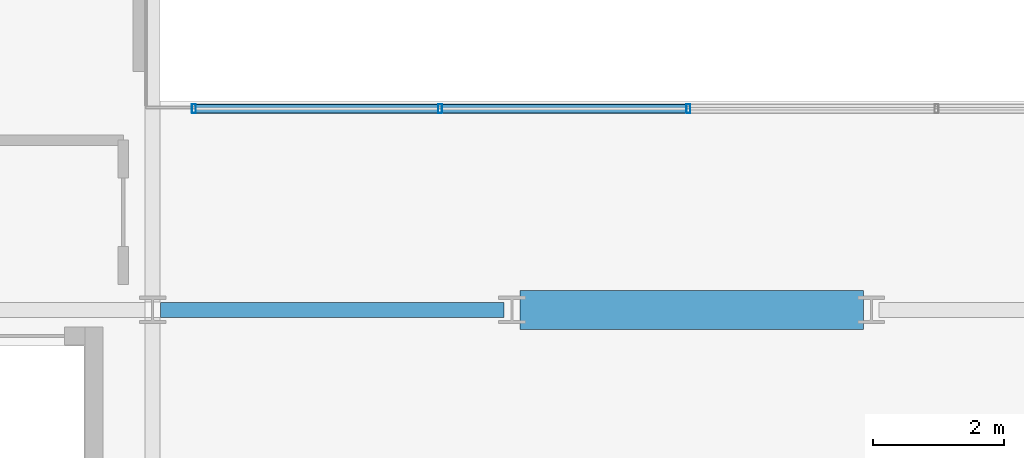
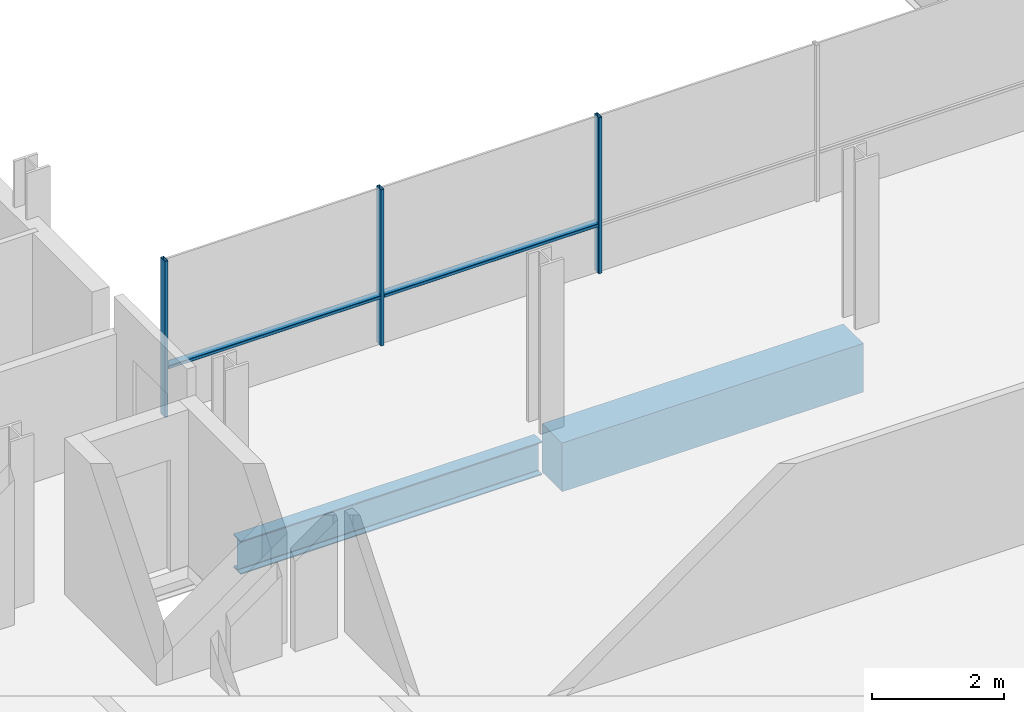
# One storey, part 4 of 38: 5 members, 2 beams, 1 element without a shape of its own.
"""IFC4 building model written with IfcOpenShell, lengths in metres."""

from ifc_helpers import new_model, si_unit, direction, frame, origin, origin_2d, place, context, subcontext, project, spatial, rectangle, hollow_rectangle, i_section, extrude, material, layer, layer_set, material_profile, profile_set, type_object, element, aggregate, save


model = new_model("IFC4")

# Units and contexts
model_context = context("Model", 3, precision=1e-05, world=origin(), true_north=direction((0.0, 1.0)))
body_context = subcontext(model_context, "Body", "Model", "MODEL_VIEW")
ifc_project = project(units=[si_unit("LENGTHUNIT", "METRE"), si_unit("AREAUNIT", "SQUARE_METRE"), si_unit("VOLUMEUNIT", "CUBIC_METRE"), si_unit("PLANEANGLEUNIT", "RADIAN"), si_unit("MASSUNIT", "GRAM", prefix="KILO")], contexts=[model_context])

# Site, building, storey
site_placement = place(None, origin())
site = spatial("IfcSite", under=ifc_project, at=site_placement, CompositionType="ELEMENT")
building_placement = place(site_placement, origin())
building = spatial("IfcBuilding", under=site, at=building_placement, Name="Brevholm Reach", CompositionType="ELEMENT")
storey_placement = place(building_placement, frame((0.0, 0.0, 128.300048828125)))
storey = spatial("IfcBuildingStorey", under=building, at=storey_placement, Name="L38", CompositionType="ELEMENT", Elevation=128.300048828125)

# Beams
ifc_material_1 = material(Name="Concrete C50/60", Category="concrete")
ifc_material_profile_1 = material_profile(ifc_material_1, rectangle(XDim=0.60009765625, YDim=0.89990234375, at=origin_2d()), Name="RC 600x900")
ifc_profile_set_1 = profile_set([ifc_material_profile_1], Name="Concrete C50/60")
beam_type_1 = type_object("IfcBeamType", Name="BM-CB600", PredefinedType="LINTEL", material=ifc_profile_set_1)
beam_1_placement = place(storey_placement, frame((27.3701171875, 10.0, -0.670166015625), z_axis=(1.0, 0.0, 0.0), x_axis=(0.0, 1.0, 0.0)))
element("IfcBeam", 1, at=beam_1_placement, inside=storey, type_object=beam_type_1, Name="L38 CB-02 Framing Beam", PredefinedType="LINTEL", context=body_context, shape_type="SweptSolid", body=[
    extrude(rectangle(XDim=0.60009765625, YDim=0.89990234375, at=origin_2d()), origin(), (0.0, 0.0, 1.0), 5.259765625),
])
ifc_material_2 = material(Name="Structural Steel S355J2", Category="steel")
ifc_material_profile_2 = material_profile(ifc_material_2, i_section(OverallWidth=0.22900390625, OverallDepth=0.6123046875, WebThickness=0.011962890625, FlangeThickness=0.01953125, FilletRadius=0.0126953125, at=origin_2d()), Name="UKB 610x229x125")
ifc_profile_set_2 = profile_set([ifc_material_profile_2], Name="Structural Steel S355J2")
beam_type_2 = type_object("IfcBeamType", Name="BM-SP610", PredefinedType="SPANDREL", material=ifc_profile_set_2)
beam_2_placement = place(storey_placement, frame((21.8701171875, 10.0, -0.526123046875), z_axis=(1.0, 0.0, 0.0), x_axis=(0.0, 1.0, 0.0)))
element("IfcBeam", 2, at=beam_2_placement, inside=storey, type_object=beam_type_2, Name="L38 SP-01 Framing Beam", PredefinedType="SPANDREL", context=body_context, shape_type="SweptSolid", body=[
    extrude(i_section(OverallWidth=0.22900390625, OverallDepth=0.6123046875, WebThickness=0.011962890625, FlangeThickness=0.01953125, FilletRadius=0.0126953125, at=origin_2d()), origin(), (0.0, 0.0, 1.0), 5.259765625),
])

# Curtain wall, members
ifc_material_3 = material(Name="Dark Anodised Aluminium 6063-T6 and Solar-Control Glass", Category="aluminium")
ifc_layer = layer(ifc_material_3, 0.139892578125)
ifc_layer_set = layer_set([ifc_layer], Name="Dark Anodised Aluminium 6063-T6 and Solar-Control Glass")
curtain_wall_type = type_object("IfcCurtainWallType", Name="CW-02", PredefinedType="NOTDEFINED", material=ifc_layer_set)
curtain_wall_placement = place(storey_placement, origin())
curtain_wall = element("IfcCurtainWall", 3, at=curtain_wall_placement, inside=storey, type_object=curtain_wall_type, Name="L38 Curtain Wall CW-02", PredefinedType="NOTDEFINED")
ifc_material_4 = material(Name="Dark Anodised Aluminium 6063-T6", Category="aluminium")
ifc_material_profile_3 = material_profile(ifc_material_4, hollow_rectangle(XDim=0.06005859375, YDim=0.139892578125, WallThickness=0.0048828125, InnerFilletRadius=0.0048828125, OuterFilletRadius=0.010009765625, at=origin_2d()), Name="RHS 140x60x5")
ifc_profile_set_3 = profile_set([ifc_material_profile_3], Name="Dark Anodised Aluminium 6063-T6")
member_type_1 = type_object("IfcMemberType", Name="CWM-140", PredefinedType="MULLION", material=ifc_profile_set_3)
member_1_placement = place(storey_placement, frame((22.3798828125, 13.080078125, 0.0), z_axis=(0.0, 0.0, 1.0), x_axis=(1.0, 0.0, 0.0)))
member_1 = element("IfcMember", 4, at=member_1_placement, type_object=member_type_1, Name="CM-140 Mullion 1", PredefinedType="MULLION", context=body_context, shape_type="SweptSolid", body=[
    extrude(hollow_rectangle(XDim=0.06005859375, YDim=0.139892578125, WallThickness=0.0048828125, InnerFilletRadius=0.0048828125, OuterFilletRadius=0.010009765625, at=origin_2d()), origin(), (0.0, 0.0, 1.0), 2.8798828125),
])
member_2_placement = place(storey_placement, frame((26.14990234375, 13.080078125, 0.0), z_axis=(0.0, 0.0, 1.0), x_axis=(1.0, 0.0, 0.0)))
member_2 = element("IfcMember", 5, at=member_2_placement, type_object=member_type_1, Name="CM-140 Mullion 2", PredefinedType="MULLION", context=body_context, shape_type="SweptSolid", body=[
    extrude(hollow_rectangle(XDim=0.06005859375, YDim=0.139892578125, WallThickness=0.0048828125, InnerFilletRadius=0.0048828125, OuterFilletRadius=0.010009765625, at=origin_2d()), origin(), (0.0, 0.0, 1.0), 2.8798828125),
])
member_3_placement = place(storey_placement, frame((29.949951171875, 13.080078125, 0.0), z_axis=(0.0, 0.0, 1.0), x_axis=(1.0, 0.0, 0.0)))
member_3 = element("IfcMember", 6, at=member_3_placement, type_object=member_type_1, Name="CM-140 Mullion 3", PredefinedType="MULLION", context=body_context, shape_type="SweptSolid", body=[
    extrude(hollow_rectangle(XDim=0.06005859375, YDim=0.139892578125, WallThickness=0.0048828125, InnerFilletRadius=0.0048828125, OuterFilletRadius=0.010009765625, at=origin_2d()), origin(), (0.0, 0.0, 1.0), 2.8798828125),
])
ifc_material_5 = material(Name="Dark Anodised Aluminium 6063-T6", Category="aluminium")
ifc_material_profile_4 = material_profile(ifc_material_5, hollow_rectangle(XDim=0.06005859375, YDim=0.139892578125, WallThickness=0.0048828125, InnerFilletRadius=0.0048828125, OuterFilletRadius=0.010009765625, at=origin_2d()), Name="RHS 140x60x5")
ifc_profile_set_4 = profile_set([ifc_material_profile_4], Name="Dark Anodised Aluminium 6063-T6")
member_type_2 = type_object("IfcMemberType", Name="CWT-140", PredefinedType="NOTDEFINED", material=ifc_profile_set_4)
member_4_placement = place(storey_placement, frame((22.409912109375, 13.080078125, 0.89990234375), z_axis=(1.0, 0.0, 0.0), x_axis=(0.0, 0.0, 1.0)))
member_4 = element("IfcMember", 7, at=member_4_placement, type_object=member_type_2, Name="CT-140 Transom 1.1", ObjectType="TRANSOM", PredefinedType="USERDEFINED", context=body_context, shape_type="SweptSolid", body=[
    extrude(hollow_rectangle(XDim=0.06005859375, YDim=0.139892578125, WallThickness=0.0048828125, InnerFilletRadius=0.0048828125, OuterFilletRadius=0.010009765625, at=origin_2d()), origin(), (0.0, 0.0, 1.0), 3.710205078125),
])
member_5_placement = place(storey_placement, frame((26.179931640625, 13.080078125, 0.89990234375), z_axis=(1.0, 0.0, 0.0), x_axis=(0.0, 0.0, 1.0)))
member_5 = element("IfcMember", 8, at=member_5_placement, type_object=member_type_2, Name="CT-140 Transom 2.1", ObjectType="TRANSOM", PredefinedType="USERDEFINED", context=body_context, shape_type="SweptSolid", body=[
    extrude(hollow_rectangle(XDim=0.06005859375, YDim=0.139892578125, WallThickness=0.0048828125, InnerFilletRadius=0.0048828125, OuterFilletRadius=0.010009765625, at=origin_2d()), origin(), (0.0, 0.0, 1.0), 3.739990234375),
])
aggregate(curtain_wall, [member_1, member_2, member_3, member_4, member_5])

save(model, "model.ifc")
